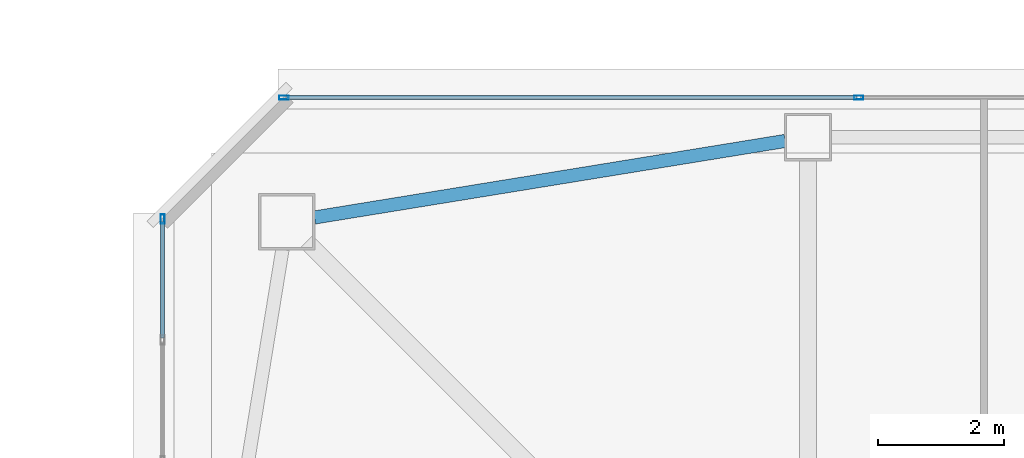
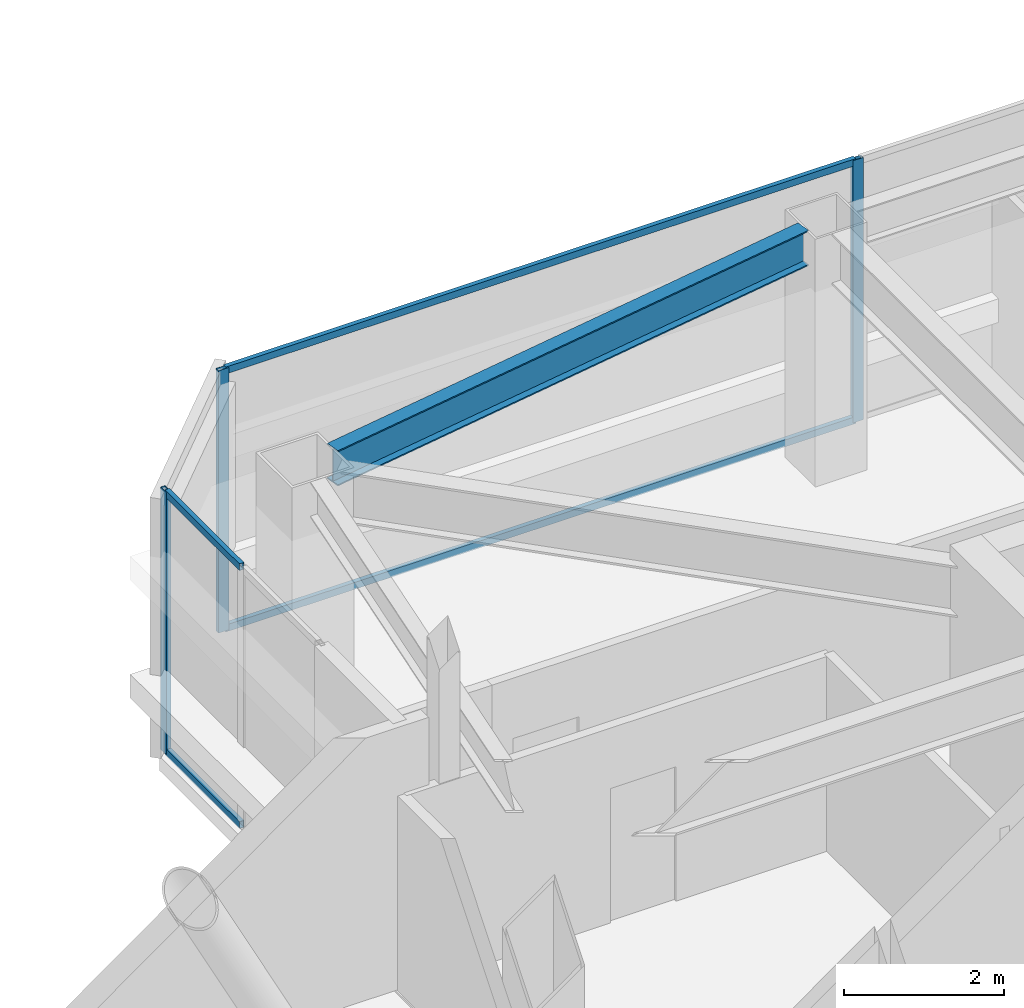
# One storey, part 18 of 53: 7 members, 1 beam, 2 elements without a shape of their own.
"""IFC4 building model written with IfcOpenShell, lengths in metres."""

from ifc_helpers import new_model, si_unit, direction, frame, origin, origin_2d, place, context, subcontext, project, spatial, hollow_rectangle, i_section, extrude, material, material_profile, profile_set, type_object, element, aggregate, save


model = new_model("IFC4")

# Units and contexts
model_context = context("Model", 3, precision=1e-05, world=origin(), true_north=direction((0.0, 1.0)))
body_context = subcontext(model_context, "Body", "Model", "MODEL_VIEW")
ifc_project = project(units=[si_unit("LENGTHUNIT", "METRE"), si_unit("AREAUNIT", "SQUARE_METRE"), si_unit("VOLUMEUNIT", "CUBIC_METRE"), si_unit("PLANEANGLEUNIT", "RADIAN"), si_unit("MASSUNIT", "GRAM", prefix="KILO")], contexts=[model_context])

# Site, building, storey
site_placement = place(None, origin())
site = spatial("IfcSite", under=ifc_project, at=site_placement, CompositionType="ELEMENT")
building_placement = place(site_placement, origin())
building = spatial("IfcBuilding", under=site, at=building_placement, Name="Tashvorn Skyway Center", CompositionType="ELEMENT")
storey_placement = place(building_placement, frame((0.0, 0.0, 255.39990234375)))
storey = spatial("IfcBuildingStorey", under=building, at=storey_placement, Name="L69", CompositionType="ELEMENT", Elevation=255.39990234375)

# Beam
ifc_material_1 = material(Name="Steel ASTM A992 Grade 50", Category="steel")
ifc_material_profile_1 = material_profile(ifc_material_1, i_section(OverallWidth=0.2109375, OverallDepth=0.5390625, WebThickness=0.01171875, FlangeThickness=0.018798828125, at=origin_2d()), Name="W21X73")
ifc_profile_set_1 = profile_set([ifc_material_profile_1], Name="Steel ASTM A992 Grade 50")
beam_type = type_object("IfcBeamType", Name="BM-SPANDREL-W21X73", PredefinedType="SPANDREL", material=ifc_profile_set_1)
beam_placement = place(storey_placement, frame((36.23486328125, 46.990478515625, 3.510498046875), z_axis=(-0.987032749583, -0.160519005885, 0.0), x_axis=(0.160519005885, -0.987032749583, 0.0)))
element("IfcBeam", 1, at=beam_placement, inside=storey, type_object=beam_type, Name="Tower 1 L69 Spandrel Beam 09", PredefinedType="SPANDREL", context=body_context, shape_type="SweptSolid", body=[
    extrude(i_section(OverallWidth=0.2109375, OverallDepth=0.5390625, WebThickness=0.01171875, FlangeThickness=0.018798828125, at=origin_2d()), origin(), (0.0, 0.0, 1.0), 7.593994140625),
])

# Curtain wall, member
ifc_material_2 = material(Name="Thermally broken bronze-anodized aluminium 6063-T6", Category="aluminium")
curtain_wall_type = type_object("IfcCurtainWallType", Name="CW-CW-SKY", PredefinedType="NOTDEFINED", material=ifc_material_2)
curtain_wall_1_placement = place(storey_placement, origin())
curtain_wall_1 = element("IfcCurtainWall", 2, at=curtain_wall_1_placement, inside=storey, type_object=curtain_wall_type, Name="Tower 1 L69 West Curtain Wall B Glazing Group 1", PredefinedType="NOTDEFINED")
ifc_material_profile_2 = material_profile(ifc_material_2, hollow_rectangle(XDim=0.06494140625, YDim=0.14990234375, WallThickness=0.00390625, at=origin_2d()), Name="ALU-MULL-65x150")
ifc_profile_set_2 = profile_set([ifc_material_profile_2], Name="Thermally broken bronze-anodized aluminium 6063-T6")
member_type_1 = type_object("IfcMemberType", Name="CWM-CW-SKY", PredefinedType="MULLION", material=ifc_profile_set_2)
member_1_placement = place(storey_placement, frame((26.320068359375, 45.74755859375, 0.0), z_axis=(0.0, 0.0, 1.0), x_axis=(-1.0, 0.0, 0.0)))
member_1 = element("IfcMember", 3, at=member_1_placement, type_object=member_type_1, Name="CW-SKY mullion 3", PredefinedType="MULLION", context=body_context, shape_type="SweptSolid", body=[
    extrude(hollow_rectangle(XDim=0.06494140625, YDim=0.14990234375, WallThickness=0.00390625, at=origin_2d()), origin(), (0.0, 0.0, 1.0), 4.0),
])

# Curtain wall, members
curtain_wall_2_placement = place(storey_placement, origin())
curtain_wall_2 = element("IfcCurtainWall", 4, at=curtain_wall_2_placement, inside=storey, type_object=curtain_wall_type, Name="Tower 1 L69 North Unitised Curtain Wall", PredefinedType="NOTDEFINED")
member_2_placement = place(storey_placement, frame((28.25244140625, 47.679931640625, 0.0), z_axis=(0.0, 0.0, 1.0), x_axis=(0.0, 1.0, 0.0)))
member_2 = element("IfcMember", 5, at=member_2_placement, type_object=member_type_1, Name="CW-SKY mullion 1", PredefinedType="MULLION", context=body_context, shape_type="SweptSolid", body=[
    extrude(hollow_rectangle(XDim=0.06494140625, YDim=0.14990234375, WallThickness=0.00390625, at=origin_2d()), origin(), (0.0, 0.0, 1.0), 4.0),
])
member_3_placement = place(storey_placement, frame((37.40673828125, 47.679931640625, 0.0), z_axis=(0.0, 0.0, 1.0), x_axis=(0.0, 1.0, 0.0)))
member_3 = element("IfcMember", 6, at=member_3_placement, type_object=member_type_1, Name="CW-SKY mullion 2", PredefinedType="MULLION", context=body_context, shape_type="SweptSolid", body=[
    extrude(hollow_rectangle(XDim=0.06494140625, YDim=0.14990234375, WallThickness=0.00390625, at=origin_2d()), origin(), (0.0, 0.0, 1.0), 4.0),
])

# Member
ifc_material_profile_3 = material_profile(ifc_material_2, hollow_rectangle(XDim=0.06494140625, YDim=0.10498046875, WallThickness=0.00390625, at=origin_2d()), Name="ALU-TRAN-65x105")
ifc_profile_set_3 = profile_set([ifc_material_profile_3], Name="Thermally broken bronze-anodized aluminium 6063-T6")
member_type_2 = type_object("IfcMemberType", Name="CWT-CW-SKY", PredefinedType="USERDEFINED", material=ifc_profile_set_3)
member_4_placement = place(storey_placement, frame((26.320068359375, 43.8525390625, 0.03271484375), z_axis=(0.0, 1.0, 0.0), x_axis=(-1.0, 0.0, 0.0)))
member_4 = element("IfcMember", 7, at=member_4_placement, type_object=member_type_2, Name="CW-SKY transom 2.1", ObjectType="TRANSOM", PredefinedType="USERDEFINED", context=body_context, shape_type="SweptSolid", body=[
    extrude(hollow_rectangle(XDim=0.06494140625, YDim=0.10498046875, WallThickness=0.00390625, at=origin_2d()), origin(), (0.0, 0.0, 1.0), 1.862548828125),
])

member_5_placement = place(storey_placement, frame((26.320068359375, 43.8525390625, 3.967529296875), z_axis=(0.0, 1.0, 0.0), x_axis=(-1.0, 0.0, 0.0)))
member_5 = element("IfcMember", 8, at=member_5_placement, type_object=member_type_2, Name="CW-SKY transom 2.2", ObjectType="TRANSOM", PredefinedType="USERDEFINED", context=body_context, shape_type="SweptSolid", body=[
    extrude(hollow_rectangle(XDim=0.06494140625, YDim=0.10498046875, WallThickness=0.00390625, at=origin_2d()), origin(), (0.0, 0.0, 1.0), 1.862548828125),
])

aggregate(curtain_wall_1, [member_1, member_4, member_5])

member_6_placement = place(storey_placement, frame((28.284912109375, 47.679931640625, 0.03271484375), z_axis=(1.0, 0.0, 0.0), x_axis=(0.0, 1.0, 0.0)))
member_6 = element("IfcMember", 9, at=member_6_placement, type_object=member_type_2, Name="CW-SKY transom 1.1", ObjectType="TRANSOM", PredefinedType="USERDEFINED", context=body_context, shape_type="SweptSolid", body=[
    extrude(hollow_rectangle(XDim=0.06494140625, YDim=0.10498046875, WallThickness=0.00390625, at=origin_2d()), origin(), (0.0, 0.0, 1.0), 9.08935546875),
])

member_7_placement = place(storey_placement, frame((28.284912109375, 47.679931640625, 3.967529296875), z_axis=(1.0, 0.0, 0.0), x_axis=(0.0, 1.0, 0.0)))
member_7 = element("IfcMember", 10, at=member_7_placement, type_object=member_type_2, Name="CW-SKY transom 1.2", ObjectType="TRANSOM", PredefinedType="USERDEFINED", context=body_context, shape_type="SweptSolid", body=[
    extrude(hollow_rectangle(XDim=0.06494140625, YDim=0.10498046875, WallThickness=0.00390625, at=origin_2d()), origin(), (0.0, 0.0, 1.0), 9.08935546875),
])

aggregate(curtain_wall_2, [member_2, member_3, member_6, member_7])

save(model, "model.ifc")
